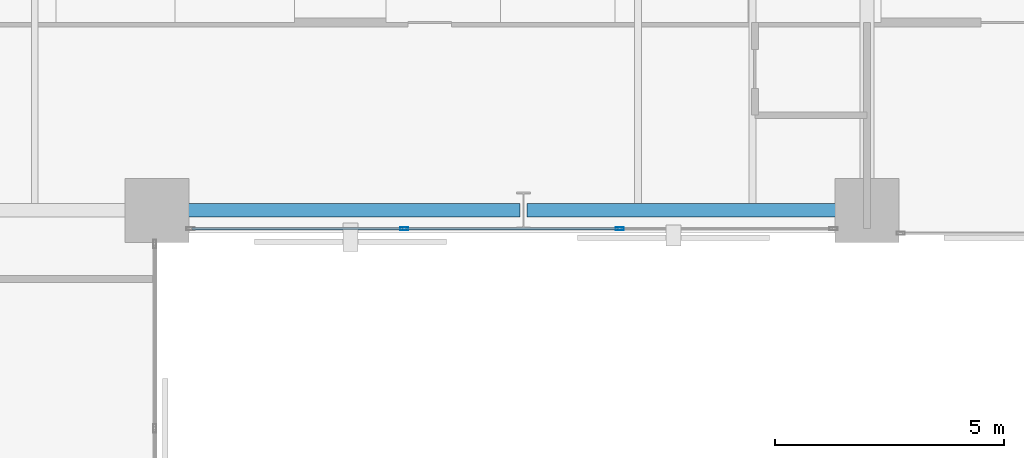
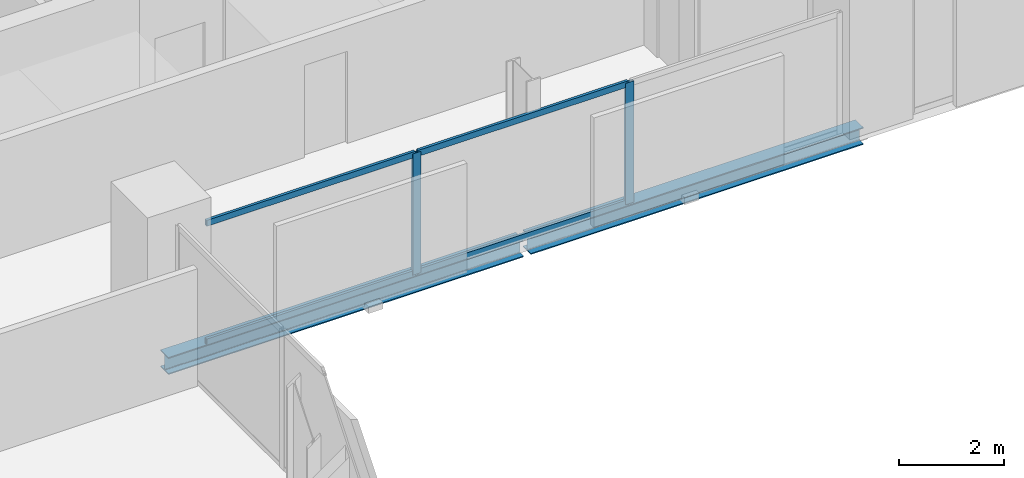
# One storey, part 14 of 33: 6 members, 2 beams, 1 element without a shape of its own.
"""IFC4 building model written with IfcOpenShell, lengths in metres."""

from ifc_helpers import new_model, si_unit, direction, frame, origin, origin_2d, place, context, subcontext, project, spatial, hollow_rectangle, i_section, extrude, material, layer, layer_set, material_profile, profile_set, type_object, element, aggregate, save


model = new_model("IFC4")

# Units and contexts
model_context = context("Model", 3, precision=1e-05, world=origin(), true_north=direction((0.0, 1.0)))
body_context = subcontext(model_context, "Body", "Model", "MODEL_VIEW")
ifc_project = project(units=[si_unit("LENGTHUNIT", "METRE"), si_unit("AREAUNIT", "SQUARE_METRE"), si_unit("VOLUMEUNIT", "CUBIC_METRE"), si_unit("PLANEANGLEUNIT", "RADIAN"), si_unit("MASSUNIT", "GRAM", prefix="KILO")], contexts=[model_context])

# Site, building, storey
site_placement = place(None, origin())
site = spatial("IfcSite", under=ifc_project, at=site_placement, CompositionType="ELEMENT")
building_placement = place(site_placement, origin())
building = spatial("IfcBuilding", under=site, at=building_placement, Name="Catumbela Crestline Tower", CompositionType="ELEMENT")
storey_placement = place(building_placement, frame((0.0, 0.0, 76.2)))
storey = spatial("IfcBuildingStorey", under=building, at=storey_placement, Name="L19", CompositionType="ELEMENT", Elevation=76.2)

# Curtain wall, members
ifc_material_1 = material(Name="Aluminium alloy AW-6060-T66", Category="aluminium")
ifc_layer = layer(ifc_material_1, 0.18, Name="Aluminium alloy AW-6060-T66")
ifc_layer_set = layer_set([ifc_layer], Name="Aluminium alloy AW-6060-T66")
curtain_wall_type = type_object("IfcCurtainWallType", Name="CWU-Z1", PredefinedType="USERDEFINED", material=ifc_layer_set)
curtain_wall_placement = place(storey_placement, origin())
curtain_wall = element("IfcCurtainWall", 1, at=curtain_wall_placement, inside=storey, type_object=curtain_wall_type, Name="L19 Unitised Curtain Wall CW-L19-E3S1", ObjectType="UNITISED", PredefinedType="USERDEFINED")
ifc_material_profile_1 = material_profile(ifc_material_1, hollow_rectangle(XDim=0.065, YDim=0.18, WallThickness=0.004, at=origin_2d()), Name="ALU 180x65x4")
ifc_profile_set_1 = profile_set([ifc_material_profile_1], Name="Aluminium alloy AW-6060-T66")
member_type_1 = type_object("IfcMemberType", Name="MUL-180X65", PredefinedType="MULLION", material=ifc_profile_set_1)
member_1_placement = place(storey_placement, frame((29.4, 24.1, 0.0), z_axis=(0.0, 0.0, 1.0), x_axis=(0.0, 1.0, 0.0)))
member_1 = element("IfcMember", 2, at=member_1_placement, type_object=member_type_1, Name="CWU-Z1 mullion 2", PredefinedType="MULLION", context=body_context, shape_type="SweptSolid", body=[
    extrude(hollow_rectangle(XDim=0.065, YDim=0.18, WallThickness=0.004, at=origin_2d()), origin(), (0.0, 0.0, 1.0), 2.83),
])
member_2_placement = place(storey_placement, frame((34.1, 24.1, 0.0), z_axis=(0.0, 0.0, 1.0), x_axis=(0.0, 1.0, 0.0)))
member_2 = element("IfcMember", 3, at=member_2_placement, type_object=member_type_1, Name="CWU-Z1 mullion 3", PredefinedType="MULLION", context=body_context, shape_type="SweptSolid", body=[
    extrude(hollow_rectangle(XDim=0.065, YDim=0.18, WallThickness=0.004, at=origin_2d()), origin(), (0.0, 0.0, 1.0), 2.83),
])

# Beams
ifc_material_2 = material(Name="Structural steel S355J2", Category="steel")
ifc_material_profile_2 = material_profile(ifc_material_2, i_section(OverallWidth=0.3, OverallDepth=0.4, WebThickness=0.0135, FlangeThickness=0.024, FilletRadius=0.027, at=origin_2d()), Name="HEB 400")
ifc_profile_set_2 = profile_set([ifc_material_profile_2], Name="Structural steel S355J2")
beam_type = type_object("IfcBeamType", Name="BS-HEB400", PredefinedType="SPANDREL", material=ifc_profile_set_2)
beam_1_placement = place(storey_placement, frame((24.08, 24.5, -0.46), z_axis=(1.0, 0.0, 0.0), x_axis=(0.0, 1.0, 0.0)))
element("IfcBeam", 4, at=beam_1_placement, inside=storey, type_object=beam_type, Name="L19 Spandrel SP-L19-S05", PredefinedType="SPANDREL", context=body_context, shape_type="SweptSolid", body=[
    extrude(i_section(OverallWidth=0.3, OverallDepth=0.4, WebThickness=0.0135, FlangeThickness=0.024, FilletRadius=0.027, at=origin_2d()), origin(), (0.0, 0.0, 1.0), 7.84),
])
beam_2_placement = place(storey_placement, frame((32.08, 24.5, -0.46), z_axis=(1.0, 0.0, 0.0), x_axis=(0.0, 1.0, 0.0)))
element("IfcBeam", 5, at=beam_2_placement, inside=storey, type_object=beam_type, Name="L19 Spandrel SP-L19-S06", PredefinedType="SPANDREL", context=body_context, shape_type="SweptSolid", body=[
    extrude(i_section(OverallWidth=0.3, OverallDepth=0.4, WebThickness=0.0135, FlangeThickness=0.024, FilletRadius=0.027, at=origin_2d()), origin(), (0.0, 0.0, 1.0), 7.34),
])

# Member
ifc_material_profile_3 = material_profile(ifc_material_1, hollow_rectangle(XDim=0.06, YDim=0.14, WallThickness=0.004, at=origin_2d()), Name="ALU 140x60x4")
ifc_profile_set_3 = profile_set([ifc_material_profile_3], Name="Aluminium alloy AW-6060-T66")
member_type_2 = type_object("IfcMemberType", Name="TRN-140X60", PredefinedType="USERDEFINED", material=ifc_profile_set_3)
member_3_placement = place(storey_placement, frame((24.765, 24.1, 0.03), z_axis=(1.0, 0.0, 0.0), x_axis=(0.0, 1.0, 0.0)))
member_3 = element("IfcMember", 6, at=member_3_placement, type_object=member_type_2, Name="CWU-Z1 transom 1.1", ObjectType="TRANSOM", PredefinedType="USERDEFINED", context=body_context, shape_type="SweptSolid", body=[
    extrude(hollow_rectangle(XDim=0.06, YDim=0.14, WallThickness=0.004, at=origin_2d()), origin(), (0.0, 0.0, 1.0), 4.6025),
])

member_4_placement = place(storey_placement, frame((24.765, 24.1, 2.8), z_axis=(1.0, 0.0, 0.0), x_axis=(0.0, 1.0, 0.0)))
member_4 = element("IfcMember", 7, at=member_4_placement, type_object=member_type_2, Name="CWU-Z1 transom 1.2", ObjectType="TRANSOM", PredefinedType="USERDEFINED", context=body_context, shape_type="SweptSolid", body=[
    extrude(hollow_rectangle(XDim=0.06, YDim=0.14, WallThickness=0.004, at=origin_2d()), origin(), (0.0, 0.0, 1.0), 4.6025),
])

member_5_placement = place(storey_placement, frame((29.4325, 24.1, 0.03), z_axis=(1.0, 0.0, 0.0), x_axis=(0.0, 1.0, 0.0)))
member_5 = element("IfcMember", 8, at=member_5_placement, type_object=member_type_2, Name="CWU-Z1 transom 2.1", ObjectType="TRANSOM", PredefinedType="USERDEFINED", context=body_context, shape_type="SweptSolid", body=[
    extrude(hollow_rectangle(XDim=0.06, YDim=0.14, WallThickness=0.004, at=origin_2d()), origin(), (0.0, 0.0, 1.0), 4.635),
])

member_6_placement = place(storey_placement, frame((29.4325, 24.1, 2.8), z_axis=(1.0, 0.0, 0.0), x_axis=(0.0, 1.0, 0.0)))
member_6 = element("IfcMember", 9, at=member_6_placement, type_object=member_type_2, Name="CWU-Z1 transom 2.2", ObjectType="TRANSOM", PredefinedType="USERDEFINED", context=body_context, shape_type="SweptSolid", body=[
    extrude(hollow_rectangle(XDim=0.06, YDim=0.14, WallThickness=0.004, at=origin_2d()), origin(), (0.0, 0.0, 1.0), 4.635),
])

aggregate(curtain_wall, [member_1, member_2, member_3, member_4, member_5, member_6])

save(model, "model.ifc")
